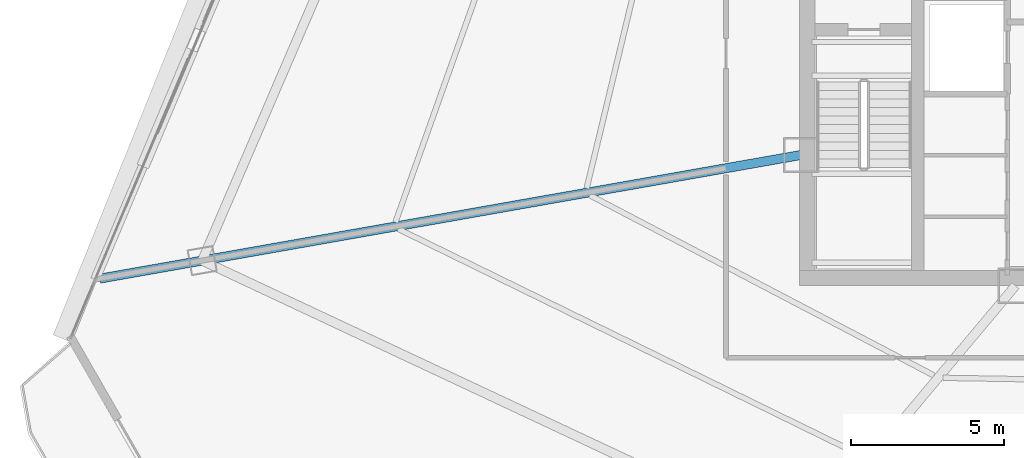
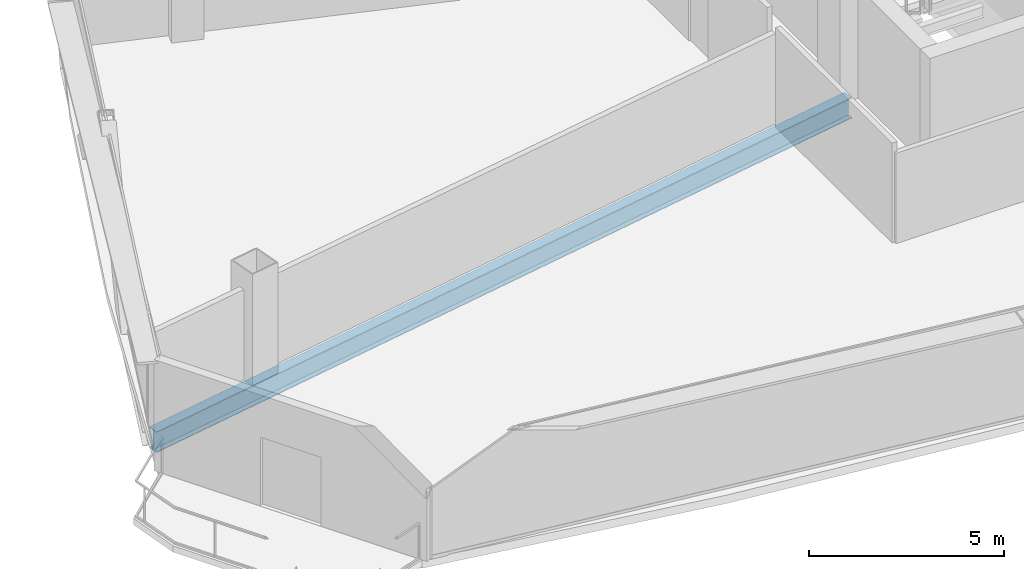
# One storey, part 5 of 34: 1 beam.
"""IFC4 building model written with IfcOpenShell, lengths in metres."""

from ifc_helpers import new_model, si_unit, direction, frame, origin, origin_2d, place, context, subcontext, project, spatial, i_section, extrude, source, transform, mapped, material, material_profile, profile_set, type_object, element, save


model = new_model("IFC4")

# Units and contexts
model_context = context("Model", 3, precision=1e-05, world=origin(), true_north=direction((0.0, 1.0)))
body_context = subcontext(model_context, "Body", "Model", "MODEL_VIEW")
ifc_project = project(units=[si_unit("LENGTHUNIT", "METRE"), si_unit("AREAUNIT", "SQUARE_METRE"), si_unit("VOLUMEUNIT", "CUBIC_METRE"), si_unit("PLANEANGLEUNIT", "RADIAN"), si_unit("MASSUNIT", "GRAM", prefix="KILO"), si_unit("THERMODYNAMICTEMPERATUREUNIT", "KELVIN"), si_unit("POWERUNIT", "WATT")], contexts=[model_context])

# Site, building, storey
site_placement = place(None, origin())
site = spatial("IfcSite", under=ifc_project, at=site_placement, CompositionType="ELEMENT")
building_placement = place(site_placement, origin())
building = spatial("IfcBuilding", under=site, at=building_placement, Name="Yunzhuo Pagoda Commons", CompositionType="ELEMENT")
storey_placement = place(building_placement, frame((0.0, 0.0, 229.610107421875)))
storey = spatial("IfcBuildingStorey", under=building, at=storey_placement, Name="L57", CompositionType="ELEMENT", Elevation=229.610107421875)

# Beam
ifc_material = material(Name="Structural steel Q355B", Category="steel")
ifc_material_profile = material_profile(ifc_material, i_section(OverallWidth=0.300048828125, OverallDepth=0.64990234375, WebThickness=0.012939453125, FlangeThickness=0.02197265625, at=origin_2d()), Name="Structural steel Q355B")
ifc_profile_set = profile_set([ifc_material_profile], Name="Structural steel Q355B")
beam_type = type_object("IfcBeamType", Name="B-RG2 Beam HN 650x300x13x22", PredefinedType="BEAM", material=ifc_profile_set)
shared_shape = source(origin(), body_context, "Body", "SweptSolid", [
    extrude(i_section(OverallWidth=0.300048828125, OverallDepth=0.64990234375, WebThickness=0.012939453125, FlangeThickness=0.02197265625, at=origin_2d()), origin(), (0.0, 0.0, 1.0), 23.22265625),
])
beam_placement = place(storey_placement, frame((12.730224609375, 27.48095703125, -0.585205078125), z_axis=(0.984808525924, 0.173643794211, 0.0), x_axis=(-0.173643794211, 0.984808525924, 0.0)))
element("IfcBeam", 1, at=beam_placement, inside=storey, type_object=beam_type, Name="L57 radial floor girder F3C4", PredefinedType="BEAM", context=body_context, shape_type="MappedRepresentation", body=[
    mapped(shared_shape, transform((0.0, 0.0, 0.0), scale=1.0)),
])

save(model, "model.ifc")
